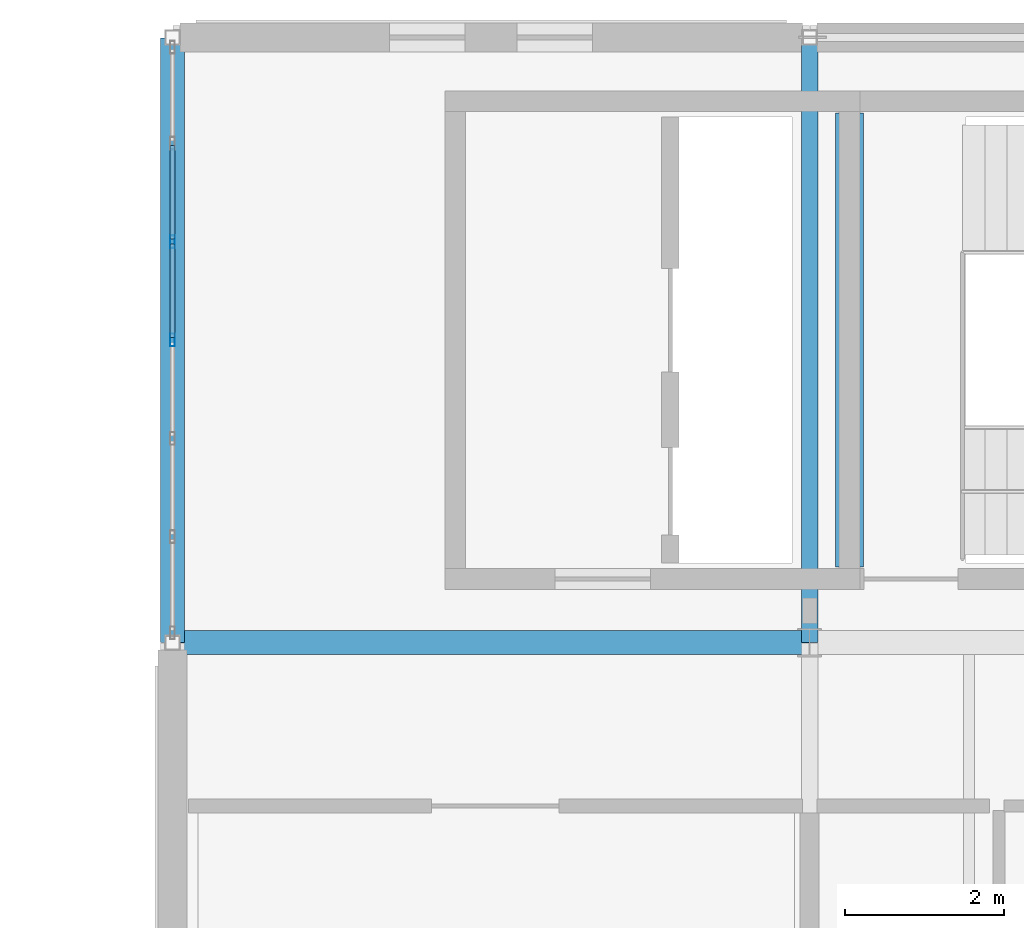
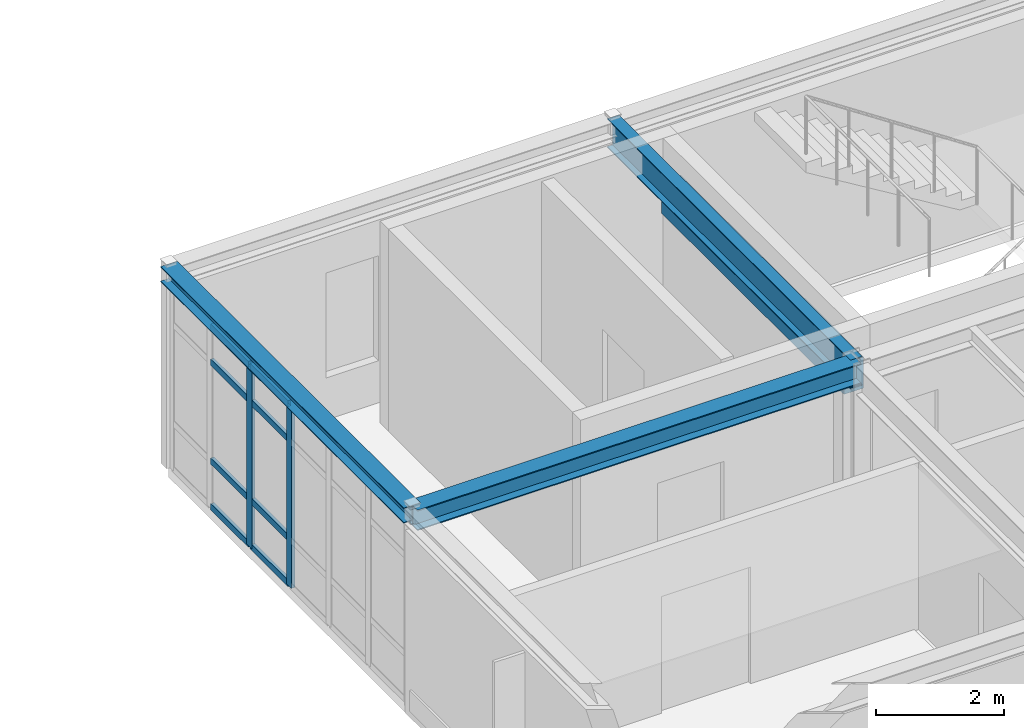
# One storey, part 14 of 26: 10 members, 4 beams, 1 element without a shape of its own.
"""IFC4 building model written with IfcOpenShell, lengths in metres."""

from ifc_helpers import new_model, si_unit, direction, frame, origin, origin_2d, place, context, subcontext, project, spatial, rectangle, hollow_rectangle, i_section, extrude, material, layer, layer_set, material_profile, profile_set, type_object, element, aggregate, save


model = new_model("IFC4")

# Units and contexts
model_context = context("Model", 3, precision=1e-05, world=origin(), true_north=direction((0.0, 1.0)))
body_context = subcontext(model_context, "Body", "Model", "MODEL_VIEW")
ifc_project = project(units=[si_unit("LENGTHUNIT", "METRE"), si_unit("AREAUNIT", "SQUARE_METRE"), si_unit("VOLUMEUNIT", "CUBIC_METRE"), si_unit("PLANEANGLEUNIT", "RADIAN"), si_unit("MASSUNIT", "GRAM", prefix="KILO")], contexts=[model_context])

# Site, building, storey
site_placement = place(None, origin())
site = spatial("IfcSite", under=ifc_project, at=site_placement, CompositionType="ELEMENT")
building_placement = place(site_placement, origin())
building = spatial("IfcBuilding", under=site, at=building_placement, Name="Montecoro Central Library", CompositionType="ELEMENT")
storey_placement = place(building_placement, frame((0.0, 0.0, 21.419921875)))
storey = spatial("IfcBuildingStorey", under=building, at=storey_placement, Name="L05", CompositionType="ELEMENT", Elevation=21.419921875)

# Beams
ifc_material_1 = material(Name="Steel S355", Category="steel")
ifc_material_profile_1 = material_profile(ifc_material_1, i_section(OverallWidth=0.300048828125, OverallDepth=0.389892578125, WebThickness=0.010986328125, FlangeThickness=0.01904296875, at=origin_2d()), Name="HEA 400")
ifc_profile_set_1 = profile_set([ifc_material_profile_1], Name="Steel S355")
beam_type_1 = type_object("IfcBeamType", Name="BM-G-HEA400", PredefinedType="USERDEFINED", material=ifc_profile_set_1)
beam_1_placement = place(storey_placement, frame((141.0048828125, 111.39990234375, 3.630126953125), z_axis=(1.0, 0.0, 0.0), x_axis=(0.0, 1.0, 0.0)))
element("IfcBeam", 1, at=beam_1_placement, inside=storey, type_object=beam_type_1, Name="V5-L05-BX-1819-Q", ObjectType="GIRDER", PredefinedType="USERDEFINED", context=body_context, shape_type="SweptSolid", body=[
    extrude(i_section(OverallWidth=0.300048828125, OverallDepth=0.389892578125, WebThickness=0.010986328125, FlangeThickness=0.01904296875, at=origin_2d()), origin(), (0.0, 0.0, 1.0), 7.990234375),
])
ifc_material_2 = material(Name="Steel S355J2", Category="steel")
ifc_material_profile_2 = material_profile(ifc_material_2, i_section(OverallWidth=0.2099609375, OverallDepth=0.550048828125, WebThickness=0.010986328125, FlangeThickness=0.01708984375, at=origin_2d()), Name="IPE 550")
ifc_profile_set_2 = profile_set([ifc_material_profile_2], Name="Steel S355J2")
beam_type_2 = type_object("IfcBeamType", Name="BM-G-IPE550", PredefinedType="USERDEFINED", material=ifc_profile_set_2)
beam_2_placement = place(storey_placement, frame((149.0, 111.405029296875, 3.550048828125), z_axis=(0.0, 1.0, 0.0), x_axis=(-1.0, 0.0, 0.0)))
element("IfcBeam", 2, at=beam_2_placement, inside=storey, type_object=beam_type_2, Name="V5-L05-BY-19-QR", ObjectType="GIRDER", PredefinedType="USERDEFINED", context=body_context, shape_type="SweptSolid", body=[
    extrude(i_section(OverallWidth=0.2099609375, OverallDepth=0.550048828125, WebThickness=0.010986328125, FlangeThickness=0.01708984375, at=origin_2d()), origin(), (0.0, 0.0, 1.0), 7.590087890625),
])
ifc_material_3 = material(Name="Concrete C35/45", Category="concrete")
ifc_material_profile_3 = material_profile(ifc_material_3, rectangle(XDim=0.35009765625, YDim=0.60009765625, at=origin_2d()), Name="RC LNT 600x350")
ifc_profile_set_3 = profile_set([ifc_material_profile_3], Name="Concrete C35/45")
beam_type_3 = type_object("IfcBeamType", Name="BM-LN-RC01", PredefinedType="LINTEL", material=ifc_profile_set_3)
beam_3_placement = place(storey_placement, frame((149.5, 112.35009765625, 2.75), z_axis=(0.0, 1.0, 0.0), x_axis=(-1.0, 0.0, 0.0)))
element("IfcBeam", 3, at=beam_3_placement, inside=storey, type_object=beam_type_3, Name="C6-L05-LNT", PredefinedType="LINTEL", context=body_context, shape_type="SweptSolid", body=[
    extrude(rectangle(XDim=0.35009765625, YDim=0.60009765625, at=origin_2d()), origin(), (0.0, 0.0, 1.0), 5.699951171875),
])
ifc_material_profile_4 = material_profile(ifc_material_1, i_section(OverallWidth=0.300048828125, OverallDepth=0.2900390625, WebThickness=0.008544921875, FlangeThickness=0.013916015625, at=origin_2d()), Name="HEA 300")
ifc_profile_set_4 = profile_set([ifc_material_profile_4], Name="Steel S355")
beam_type_4 = type_object("IfcBeamType", Name="BM-SP-HEA300", PredefinedType="SPANDREL", material=ifc_profile_set_4)
beam_4_placement = place(storey_placement, frame((141.0, 111.405029296875, 3.68017578125), z_axis=(0.0, 1.0, 0.0), x_axis=(-1.0, 0.0, 0.0)))
element("IfcBeam", 4, at=beam_4_placement, inside=storey, type_object=beam_type_4, Name="V5-L05-BY-18-QR", PredefinedType="SPANDREL", context=body_context, shape_type="SweptSolid", body=[
    extrude(i_section(OverallWidth=0.300048828125, OverallDepth=0.2900390625, WebThickness=0.008544921875, FlangeThickness=0.013916015625, at=origin_2d()), origin(), (0.0, 0.0, 1.0), 7.590087890625),
])

# Curtain wall, members
ifc_material_4 = material(Name="Bronze-anodised aluminium and low-E glazing", Category="aluminium")
ifc_layer = layer(ifc_material_4, 0.159912109375)
ifc_layer_set = layer_set([ifc_layer], Name="Bronze-anodised aluminium and low-E glazing")
curtain_wall_type = type_object("IfcCurtainWallType", Name="CWT-057", PredefinedType="NOTDEFINED", material=ifc_layer_set)
curtain_wall_placement = place(storey_placement, origin())
curtain_wall = element("IfcCurtainWall", 5, at=curtain_wall_placement, inside=storey, type_object=curtain_wall_type, Name="V5-L05-CW-W1", PredefinedType="NOTDEFINED")
ifc_material_5 = material(Name="Bronze-anodised aluminium", Category="aluminium")
ifc_material_profile_5 = material_profile(ifc_material_5, hollow_rectangle(XDim=0.06005859375, YDim=0.159912109375, WallThickness=0.00390625, at=origin_2d()), Name="CWM 160x60x4.0")
ifc_profile_set_5 = profile_set([ifc_material_profile_5], Name="Bronze-anodised aluminium")
member_type_1 = type_object("IfcMemberType", Name="CWM-BRZ-60", PredefinedType="MULLION", material=ifc_profile_set_5)
member_1_placement = place(storey_placement, frame((141.0, 116.435546875, 0.0), z_axis=(0.0, 0.0, 1.0), x_axis=(1.0, 0.0, 0.0)))
member_1 = element("IfcMember", 6, at=member_1_placement, type_object=member_type_1, Name="CW-057 mullion 3", PredefinedType="MULLION", context=body_context, shape_type="SweptSolid", body=[
    extrude(hollow_rectangle(XDim=0.06005859375, YDim=0.159912109375, WallThickness=0.00390625, at=origin_2d()), origin(), (0.0, 0.0, 1.0), 3.47998046875),
])
member_2_placement = place(storey_placement, frame((141.0, 115.199951171875, 0.0), z_axis=(0.0, 0.0, 1.0), x_axis=(1.0, 0.0, 0.0)))
member_2 = element("IfcMember", 7, at=member_2_placement, type_object=member_type_1, Name="CW-057 mullion 4", PredefinedType="MULLION", context=body_context, shape_type="SweptSolid", body=[
    extrude(hollow_rectangle(XDim=0.06005859375, YDim=0.159912109375, WallThickness=0.00390625, at=origin_2d()), origin(), (0.0, 0.0, 1.0), 3.47998046875),
])
ifc_material_profile_6 = material_profile(ifc_material_5, hollow_rectangle(XDim=0.06005859375, YDim=0.1201171875, WallThickness=0.00390625, at=origin_2d()), Name="CWT 120x60x4.0")
ifc_profile_set_6 = profile_set([ifc_material_profile_6], Name="Bronze-anodised aluminium")
member_type_2 = type_object("IfcMemberType", Name="CWT-BRZ-60", PredefinedType="USERDEFINED", material=ifc_profile_set_6)
member_3_placement = place(storey_placement, frame((141.0, 117.641357421875, 0.030029296875), z_axis=(0.0, -1.0, 0.0), x_axis=(1.0, 0.0, 0.0)))
member_3 = element("IfcMember", 8, at=member_3_placement, type_object=member_type_2, Name="CW-057 transom 2.1", ObjectType="TRANSOM", PredefinedType="USERDEFINED", context=body_context, shape_type="SweptSolid", body=[
    extrude(hollow_rectangle(XDim=0.06005859375, YDim=0.1201171875, WallThickness=0.00390625, at=origin_2d()), origin(), (0.0, 0.0, 1.0), 1.17578125),
])
member_4_placement = place(storey_placement, frame((141.0, 117.641357421875, 0.900146484375), z_axis=(0.0, -1.0, 0.0), x_axis=(1.0, 0.0, 0.0)))
member_4 = element("IfcMember", 9, at=member_4_placement, type_object=member_type_2, Name="CW-057 transom 2.2", ObjectType="TRANSOM", PredefinedType="USERDEFINED", context=body_context, shape_type="SweptSolid", body=[
    extrude(hollow_rectangle(XDim=0.06005859375, YDim=0.1201171875, WallThickness=0.00390625, at=origin_2d()), origin(), (0.0, 0.0, 1.0), 1.17578125),
])
member_5_placement = place(storey_placement, frame((141.0, 117.641357421875, 2.780029296875), z_axis=(0.0, -1.0, 0.0), x_axis=(1.0, 0.0, 0.0)))
member_5 = element("IfcMember", 10, at=member_5_placement, type_object=member_type_2, Name="CW-057 transom 2.3", ObjectType="TRANSOM", PredefinedType="USERDEFINED", context=body_context, shape_type="SweptSolid", body=[
    extrude(hollow_rectangle(XDim=0.06005859375, YDim=0.1201171875, WallThickness=0.00390625, at=origin_2d()), origin(), (0.0, 0.0, 1.0), 1.17578125),
])
member_6_placement = place(storey_placement, frame((141.0, 117.641357421875, 3.4501953125), z_axis=(0.0, -1.0, 0.0), x_axis=(1.0, 0.0, 0.0)))
member_6 = element("IfcMember", 11, at=member_6_placement, type_object=member_type_2, Name="CW-057 transom 2.4", ObjectType="TRANSOM", PredefinedType="USERDEFINED", context=body_context, shape_type="SweptSolid", body=[
    extrude(hollow_rectangle(XDim=0.06005859375, YDim=0.1201171875, WallThickness=0.00390625, at=origin_2d()), origin(), (0.0, 0.0, 1.0), 1.17578125),
])
member_7_placement = place(storey_placement, frame((141.0, 116.40576171875, 0.030029296875), z_axis=(0.0, -1.0, 0.0), x_axis=(1.0, 0.0, 0.0)))
member_7 = element("IfcMember", 12, at=member_7_placement, type_object=member_type_2, Name="CW-057 transom 3.1", ObjectType="TRANSOM", PredefinedType="USERDEFINED", context=body_context, shape_type="SweptSolid", body=[
    extrude(hollow_rectangle(XDim=0.06005859375, YDim=0.1201171875, WallThickness=0.00390625, at=origin_2d()), origin(), (0.0, 0.0, 1.0), 1.17578125),
])
member_8_placement = place(storey_placement, frame((141.0, 116.40576171875, 0.900146484375), z_axis=(0.0, -1.0, 0.0), x_axis=(1.0, 0.0, 0.0)))
member_8 = element("IfcMember", 13, at=member_8_placement, type_object=member_type_2, Name="CW-057 transom 3.2", ObjectType="TRANSOM", PredefinedType="USERDEFINED", context=body_context, shape_type="SweptSolid", body=[
    extrude(hollow_rectangle(XDim=0.06005859375, YDim=0.1201171875, WallThickness=0.00390625, at=origin_2d()), origin(), (0.0, 0.0, 1.0), 1.17578125),
])
member_9_placement = place(storey_placement, frame((141.0, 116.40576171875, 2.780029296875), z_axis=(0.0, -1.0, 0.0), x_axis=(1.0, 0.0, 0.0)))
member_9 = element("IfcMember", 14, at=member_9_placement, type_object=member_type_2, Name="CW-057 transom 3.3", ObjectType="TRANSOM", PredefinedType="USERDEFINED", context=body_context, shape_type="SweptSolid", body=[
    extrude(hollow_rectangle(XDim=0.06005859375, YDim=0.1201171875, WallThickness=0.00390625, at=origin_2d()), origin(), (0.0, 0.0, 1.0), 1.17578125),
])
member_10_placement = place(storey_placement, frame((141.0, 116.40576171875, 3.4501953125), z_axis=(0.0, -1.0, 0.0), x_axis=(1.0, 0.0, 0.0)))
member_10 = element("IfcMember", 15, at=member_10_placement, type_object=member_type_2, Name="CW-057 transom 3.4", ObjectType="TRANSOM", PredefinedType="USERDEFINED", context=body_context, shape_type="SweptSolid", body=[
    extrude(hollow_rectangle(XDim=0.06005859375, YDim=0.1201171875, WallThickness=0.00390625, at=origin_2d()), origin(), (0.0, 0.0, 1.0), 1.17578125),
])
aggregate(curtain_wall, [member_1, member_2, member_3, member_4, member_5, member_6, member_7, member_8, member_9, member_10])

save(model, "model.ifc")
